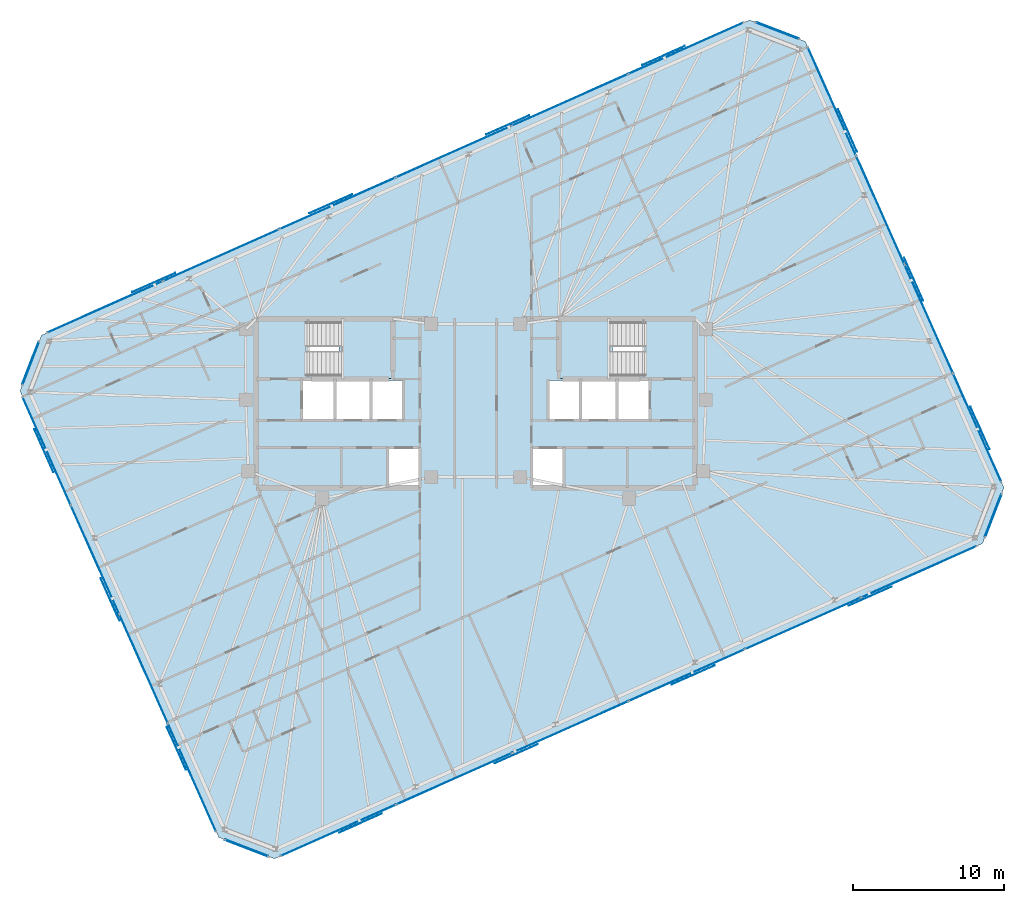
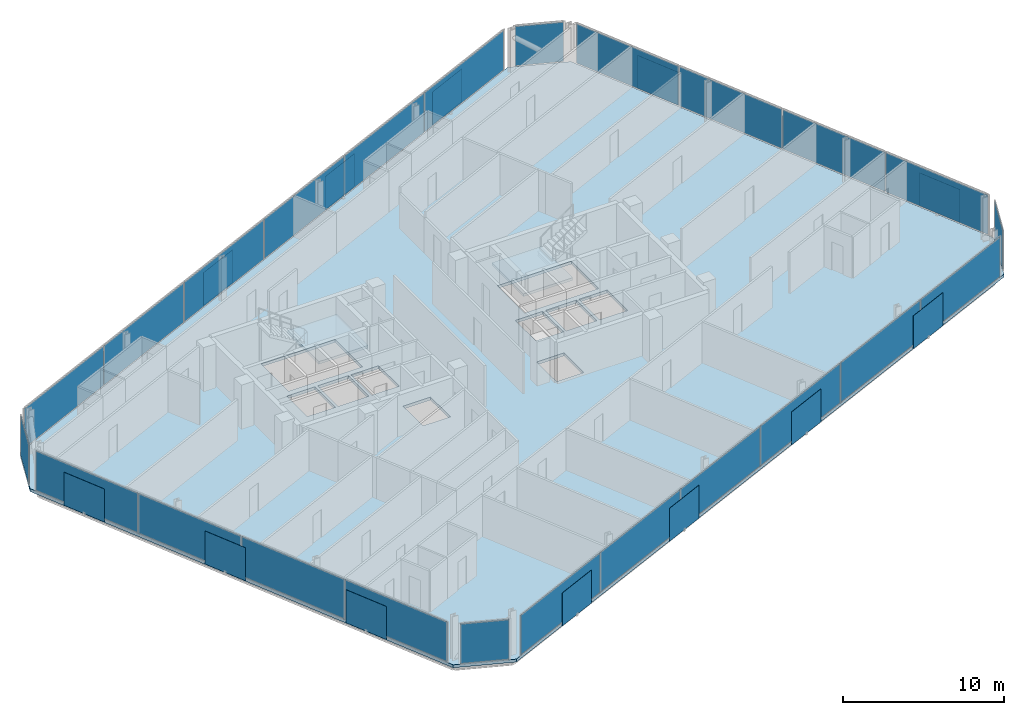
# One storey, part 12 of 19: 38 plates, 3 slabs, 10 elements without a shape of their own.
"""IFC4 building model written with IfcOpenShell, lengths in metres."""

from ifc_helpers import new_model, si_unit, direction, frame, origin, origin_2d, place, context, subcontext, project, spatial, polyline, rectangle, outline, extrude, material, layer, layer_set, type_object, element, aggregate, save


model = new_model("IFC4")

# Units and contexts
model_context = context("Model", 3, precision=1e-05, world=origin(), true_north=direction((0.0, 1.0)))
body_context = subcontext(model_context, "Body", "Model", "MODEL_VIEW")
ifc_project = project(units=[si_unit("LENGTHUNIT", "METRE"), si_unit("AREAUNIT", "SQUARE_METRE"), si_unit("VOLUMEUNIT", "CUBIC_METRE"), si_unit("PLANEANGLEUNIT", "RADIAN"), si_unit("MASSUNIT", "GRAM", prefix="KILO")], contexts=[model_context])

# Site, building, storey
site_placement = place(None, origin())
site = spatial("IfcSite", under=ifc_project, at=site_placement, CompositionType="ELEMENT")
building_placement = place(site_placement, origin())
building = spatial("IfcBuilding", under=site, at=building_placement, Name="Menara Jurai Vektor", CompositionType="ELEMENT")
storey_placement = place(building_placement, frame((0.0, 0.0, 262.199951171875)))
storey = spatial("IfcBuildingStorey", under=building, at=storey_placement, Name="L70", CompositionType="ELEMENT", Elevation=262.199951171875)

# Curtain wall, plates
ifc_material_1 = material(Name="Anodised Pale Aluminium & Low-E Double Glazing", Category="aluminium")
curtain_wall_type = type_object("IfcCurtainWallType", Name="CW-BLK5", PredefinedType="NOTDEFINED", material=ifc_material_1)
curtain_wall_1_placement = place(storey_placement, origin())
curtain_wall_1 = element("IfcCurtainWall", 1, at=curtain_wall_1_placement, inside=storey, type_object=curtain_wall_type, Name="Unitised Curtain Wall L70 F01", PredefinedType="NOTDEFINED")
ifc_material_2 = material(Name="Low-E Solar-Control Double Glazed Unit", Category="glass")
ifc_layer_1 = layer(ifc_material_2, 0.028076171875)
ifc_layer_set_1 = layer_set([ifc_layer_1], Name="Low-E Solar-Control Double Glazed Unit")
plate_type_1 = type_object("IfcPlateType", Name="CW-BLK5-PNL", PredefinedType="CURTAIN_PANEL", material=ifc_layer_set_1)
plate_1_placement = place(storey_placement, frame((-9.130615234375, -28.331787109375, 0.074951171875), z_axis=(0.0, 0.0, 1.0), x_axis=(0.913545967158, 0.406735498684, 0.0)))
plate_1 = element("IfcPlate", 2, at=plate_1_placement, type_object=plate_type_1, Name="CW-05 panel 1.1", PredefinedType="CURTAIN_PANEL", context=body_context, shape_type="SweptSolid", body=[
    extrude(rectangle(XDim=8.327392578125, YDim=0.028076171875, at=origin_2d()), origin(), (0.0, 0.0, 1.0), 2.97509765625),
])
plate_2_placement = place(storey_placement, frame((-1.4375, -24.90673828125, 0.074951171875), z_axis=(0.0, 0.0, 1.0), x_axis=(0.913545967158, 0.406735498684, 0.0)))
plate_2 = element("IfcPlate", 3, at=plate_2_placement, type_object=plate_type_1, Name="CW-05 panel 2.1", PredefinedType="CURTAIN_PANEL", context=body_context, shape_type="SweptSolid", body=[
    extrude(rectangle(XDim=8.364990234375, YDim=0.028076171875, at=origin_2d()), origin(), (0.0, 0.0, 1.0), 2.97509765625),
])
plate_3_placement = place(storey_placement, frame((6.27294921875, -21.473876953125, 0.074951171875), z_axis=(0.0, 0.0, 1.0), x_axis=(0.913545967158, 0.406735498684, 0.0)))
plate_3 = element("IfcPlate", 4, at=plate_3_placement, type_object=plate_type_1, Name="CW-05 panel 3.1", PredefinedType="CURTAIN_PANEL", context=body_context, shape_type="SweptSolid", body=[
    extrude(rectangle(XDim=8.364990234375, YDim=0.028076171875, at=origin_2d()), origin(), (0.0, 0.0, 1.0), 2.97509765625),
])
plate_4_placement = place(storey_placement, frame((13.983154296875, -18.041015625, 0.074951171875), z_axis=(0.0, 0.0, 1.0), x_axis=(0.913545967158, 0.406735498684, 0.0)))
plate_4 = element("IfcPlate", 5, at=plate_4_placement, type_object=plate_type_1, Name="CW-05 panel 4.1", PredefinedType="CURTAIN_PANEL", context=body_context, shape_type="SweptSolid", body=[
    extrude(rectangle(XDim=8.364990234375, YDim=0.028076171875, at=origin_2d()), origin(), (0.0, 0.0, 1.0), 2.97509765625),
])
plate_5_placement = place(storey_placement, frame((21.693603515625, -14.608154296875, 0.074951171875), z_axis=(0.0, 0.0, 1.0), x_axis=(0.913545967158, 0.406735498684, 0.0)))
plate_5 = element("IfcPlate", 6, at=plate_5_placement, type_object=plate_type_1, Name="CW-05 panel 5.1", PredefinedType="CURTAIN_PANEL", context=body_context, shape_type="SweptSolid", body=[
    extrude(rectangle(XDim=8.364990234375, YDim=0.028076171875, at=origin_2d()), origin(), (0.0, 0.0, 1.0), 2.97509765625),
])
plate_6_placement = place(storey_placement, frame((29.38671875, -11.182861328125, 0.074951171875), z_axis=(0.0, 0.0, 1.0), x_axis=(0.913545967158, 0.406735498684, 0.0)))
plate_6 = element("IfcPlate", 7, at=plate_6_placement, type_object=plate_type_1, Name="CW-05 panel 6.1", PredefinedType="CURTAIN_PANEL", context=body_context, shape_type="SweptSolid", body=[
    extrude(rectangle(XDim=8.327392578125, YDim=0.028076171875, at=origin_2d()), origin(), (0.0, 0.0, 1.0), 2.97509765625),
])
aggregate(curtain_wall_1, [plate_1, plate_2, plate_3, plate_4, plate_5, plate_6])

curtain_wall_2_placement = place(storey_placement, origin())
curtain_wall_2 = element("IfcCurtainWall", 8, at=curtain_wall_2_placement, inside=storey, type_object=curtain_wall_type, Name="Unitised Curtain Wall L70 F03", PredefinedType="NOTDEFINED")
plate_7_placement = place(storey_placement, frame((33.25439453125, -1.630126953125, 0.074951171875), z_axis=(0.0, 0.0, 1.0), x_axis=(-0.406735138086, 0.913546127706, 0.0)))
plate_7 = element("IfcPlate", 9, at=plate_7_placement, type_object=plate_type_1, Name="CW-05 panel 1.1", PredefinedType="CURTAIN_PANEL", context=body_context, shape_type="SweptSolid", body=[
    extrude(rectangle(XDim=7.797607421875, YDim=0.028076171875, at=origin_2d()), origin(), (0.0, 0.0, 1.0), 2.97509765625),
])
plate_8_placement = place(storey_placement, frame((30.044677734375, 5.578857421875, 0.074951171875), z_axis=(0.0, 0.0, 1.0), x_axis=(-0.406735138086, 0.913546127706, 0.0)))
plate_8 = element("IfcPlate", 10, at=plate_8_placement, type_object=plate_type_1, Name="CW-05 panel 2.1", PredefinedType="CURTAIN_PANEL", context=body_context, shape_type="SweptSolid", body=[
    extrude(rectangle(XDim=7.8349609375, YDim=0.028076171875, at=origin_2d()), origin(), (0.0, 0.0, 1.0), 2.97509765625),
])
plate_9_placement = place(storey_placement, frame((26.827392578125, 12.80517578125, 0.074951171875), z_axis=(0.0, 0.0, 1.0), x_axis=(-0.406735138086, 0.913546127706, 0.0)))
plate_9 = element("IfcPlate", 11, at=plate_9_placement, type_object=plate_type_1, Name="CW-05 panel 3.1", PredefinedType="CURTAIN_PANEL", context=body_context, shape_type="SweptSolid", body=[
    extrude(rectangle(XDim=7.8349609375, YDim=0.028076171875, at=origin_2d()), origin(), (0.0, 0.0, 1.0), 2.97509765625),
])
plate_10_placement = place(storey_placement, frame((23.61767578125, 20.01416015625, 0.074951171875), z_axis=(0.0, 0.0, 1.0), x_axis=(-0.406735138086, 0.913546127706, 0.0)))
plate_10 = element("IfcPlate", 12, at=plate_10_placement, type_object=plate_type_1, Name="CW-05 panel 4.1", PredefinedType="CURTAIN_PANEL", context=body_context, shape_type="SweptSolid", body=[
    extrude(rectangle(XDim=7.797607421875, YDim=0.028076171875, at=origin_2d()), origin(), (0.0, 0.0, 1.0), 2.97509765625),
])
aggregate(curtain_wall_2, [plate_7, plate_8, plate_9, plate_10])

curtain_wall_3_placement = place(storey_placement, origin())
curtain_wall_3 = element("IfcCurtainWall", 13, at=curtain_wall_3_placement, inside=storey, type_object=curtain_wall_type, Name="Unitised Curtain Wall L70 F05", PredefinedType="NOTDEFINED")
plate_11_placement = place(storey_placement, frame((13.9306640625, 23.53173828125, 0.074951171875), z_axis=(0.0, 0.0, 1.0), x_axis=(-0.913545967158, -0.406735498684, 0.0)))
plate_11 = element("IfcPlate", 14, at=plate_11_placement, type_object=plate_type_1, Name="CW-05 panel 1.1", PredefinedType="CURTAIN_PANEL", context=body_context, shape_type="SweptSolid", body=[
    extrude(rectangle(XDim=8.327392578125, YDim=0.028076171875, at=origin_2d()), origin(), (0.0, 0.0, 1.0), 2.97509765625),
])
plate_12_placement = place(storey_placement, frame((6.237548828125, 20.106689453125, 0.074951171875), z_axis=(0.0, 0.0, 1.0), x_axis=(-0.913545967158, -0.406735498684, 0.0)))
plate_12 = element("IfcPlate", 15, at=plate_12_placement, type_object=plate_type_1, Name="CW-05 panel 2.1", PredefinedType="CURTAIN_PANEL", context=body_context, shape_type="SweptSolid", body=[
    extrude(rectangle(XDim=8.364990234375, YDim=0.028076171875, at=origin_2d()), origin(), (0.0, 0.0, 1.0), 2.97509765625),
])
plate_13_placement = place(storey_placement, frame((-1.472900390625, 16.673828125, 0.074951171875), z_axis=(0.0, 0.0, 1.0), x_axis=(-0.913545967158, -0.406735498684, 0.0)))
plate_13 = element("IfcPlate", 16, at=plate_13_placement, type_object=plate_type_1, Name="CW-05 panel 3.1", PredefinedType="CURTAIN_PANEL", context=body_context, shape_type="SweptSolid", body=[
    extrude(rectangle(XDim=8.364990234375, YDim=0.028076171875, at=origin_2d()), origin(), (0.0, 0.0, 1.0), 2.97509765625),
])
plate_14_placement = place(storey_placement, frame((-9.18310546875, 13.240966796875, 0.074951171875), z_axis=(0.0, 0.0, 1.0), x_axis=(-0.913545967158, -0.406735498684, 0.0)))
plate_14 = element("IfcPlate", 17, at=plate_14_placement, type_object=plate_type_1, Name="CW-05 panel 4.1", PredefinedType="CURTAIN_PANEL", context=body_context, shape_type="SweptSolid", body=[
    extrude(rectangle(XDim=8.364990234375, YDim=0.028076171875, at=origin_2d()), origin(), (0.0, 0.0, 1.0), 2.97509765625),
])
plate_15_placement = place(storey_placement, frame((-16.8935546875, 9.80810546875, 0.074951171875), z_axis=(0.0, 0.0, 1.0), x_axis=(-0.913545967158, -0.406735498684, 0.0)))
plate_15 = element("IfcPlate", 18, at=plate_15_placement, type_object=plate_type_1, Name="CW-05 panel 5.1", PredefinedType="CURTAIN_PANEL", context=body_context, shape_type="SweptSolid", body=[
    extrude(rectangle(XDim=8.364990234375, YDim=0.028076171875, at=origin_2d()), origin(), (0.0, 0.0, 1.0), 2.97509765625),
])
plate_16_placement = place(storey_placement, frame((-24.586669921875, 6.3828125, 0.074951171875), z_axis=(0.0, 0.0, 1.0), x_axis=(-0.913545967158, -0.406735498684, 0.0)))
plate_16 = element("IfcPlate", 19, at=plate_16_placement, type_object=plate_type_1, Name="CW-05 panel 6.1", PredefinedType="CURTAIN_PANEL", context=body_context, shape_type="SweptSolid", body=[
    extrude(rectangle(XDim=8.327392578125, YDim=0.028076171875, at=origin_2d()), origin(), (0.0, 0.0, 1.0), 2.97509765625),
])
aggregate(curtain_wall_3, [plate_11, plate_12, plate_13, plate_14, plate_15, plate_16])

curtain_wall_4_placement = place(storey_placement, origin())
curtain_wall_4 = element("IfcCurtainWall", 20, at=curtain_wall_4_placement, inside=storey, type_object=curtain_wall_type, Name="Unitised Curtain Wall L70 F07", PredefinedType="NOTDEFINED")
plate_17_placement = place(storey_placement, frame((-28.454345703125, -3.169921875, 0.074951171875), z_axis=(0.0, 0.0, 1.0), x_axis=(0.406735138086, -0.913546127706, 0.0)))
plate_17 = element("IfcPlate", 21, at=plate_17_placement, type_object=plate_type_1, Name="CW-05 panel 1.1", PredefinedType="CURTAIN_PANEL", context=body_context, shape_type="SweptSolid", body=[
    extrude(rectangle(XDim=7.797607421875, YDim=0.028076171875, at=origin_2d()), origin(), (0.0, 0.0, 1.0), 2.97509765625),
])
plate_18_placement = place(storey_placement, frame((-25.24462890625, -10.37890625, 0.074951171875), z_axis=(0.0, 0.0, 1.0), x_axis=(0.406735138086, -0.913546127706, 0.0)))
plate_18 = element("IfcPlate", 22, at=plate_18_placement, type_object=plate_type_1, Name="CW-05 panel 2.1", PredefinedType="CURTAIN_PANEL", context=body_context, shape_type="SweptSolid", body=[
    extrude(rectangle(XDim=7.8349609375, YDim=0.028076171875, at=origin_2d()), origin(), (0.0, 0.0, 1.0), 2.97509765625),
])
plate_19_placement = place(storey_placement, frame((-22.02734375, -17.60498046875, 0.074951171875), z_axis=(0.0, 0.0, 1.0), x_axis=(0.406735138086, -0.913546127706, 0.0)))
plate_19 = element("IfcPlate", 23, at=plate_19_placement, type_object=plate_type_1, Name="CW-05 panel 3.1", PredefinedType="CURTAIN_PANEL", context=body_context, shape_type="SweptSolid", body=[
    extrude(rectangle(XDim=7.8349609375, YDim=0.028076171875, at=origin_2d()), origin(), (0.0, 0.0, 1.0), 2.97509765625),
])
plate_20_placement = place(storey_placement, frame((-18.81787109375, -24.814208984375, 0.074951171875), z_axis=(0.0, 0.0, 1.0), x_axis=(0.406735138086, -0.913546127706, 0.0)))
plate_20 = element("IfcPlate", 24, at=plate_20_placement, type_object=plate_type_1, Name="CW-05 panel 4.1", PredefinedType="CURTAIN_PANEL", context=body_context, shape_type="SweptSolid", body=[
    extrude(rectangle(XDim=7.797607421875, YDim=0.028076171875, at=origin_2d()), origin(), (0.0, 0.0, 1.0), 2.97509765625),
])
aggregate(curtain_wall_4, [plate_17, plate_18, plate_19, plate_20])

# Curtain wall, plate
curtain_wall_5_placement = place(storey_placement, origin())
curtain_wall_5 = element("IfcCurtainWall", 25, at=curtain_wall_5_placement, inside=storey, type_object=curtain_wall_type, Name="Unitised Curtain Wall L70 F02", PredefinedType="NOTDEFINED")
ifc_material_3 = material(Name="Insulated Pale Aluminium Spandrel Panel", Category="aluminium")
ifc_layer_2 = layer(ifc_material_3, 0.06005859375)
ifc_layer_set_2 = layer_set([ifc_layer_2], Name="Insulated Pale Aluminium Spandrel Panel")
plate_type_2 = type_object("IfcPlateType", Name="CW-PNL-SP", PredefinedType="CURTAIN_PANEL", material=ifc_layer_set_2)
plate_21_placement = place(storey_placement, frame((34.315673828125, -7.455810546875, 0.074951171875), z_axis=(0.0, 0.0, 1.0), x_axis=(0.358373766287, 0.933578193639, 0.0)))
plate_21 = element("IfcPlate", 26, at=plate_21_placement, type_object=plate_type_2, Name="CW-05 panel 1.1", PredefinedType="CURTAIN_PANEL", context=body_context, shape_type="SweptSolid", body=[
    extrude(rectangle(XDim=3.0498046875, YDim=0.06005859375, at=origin_2d()), origin(), (0.0, 0.0, 1.0), 2.97509765625),
])
aggregate(curtain_wall_5, [plate_21])

curtain_wall_6_placement = place(storey_placement, origin())
curtain_wall_6 = element("IfcCurtainWall", 27, at=curtain_wall_6_placement, inside=storey, type_object=curtain_wall_type, Name="Unitised Curtain Wall L70 F04", PredefinedType="NOTDEFINED")
plate_22_placement = place(storey_placement, frame((19.99853515625, 24.700927734375, 0.074951171875), z_axis=(0.0, 0.0, 1.0), x_axis=(-0.933578193639, 0.358373766287, 0.0)))
plate_22 = element("IfcPlate", 28, at=plate_22_placement, type_object=plate_type_2, Name="CW-05 panel 1.1", PredefinedType="CURTAIN_PANEL", context=body_context, shape_type="SweptSolid", body=[
    extrude(rectangle(XDim=3.0498046875, YDim=0.06005859375, at=origin_2d()), origin(), (0.0, 0.0, 1.0), 2.97509765625),
])
aggregate(curtain_wall_6, [plate_22])

curtain_wall_7_placement = place(storey_placement, origin())
curtain_wall_7 = element("IfcCurtainWall", 29, at=curtain_wall_7_placement, inside=storey, type_object=curtain_wall_type, Name="Unitised Curtain Wall L70 F06", PredefinedType="NOTDEFINED")
plate_23_placement = place(storey_placement, frame((-29.515625, 2.65576171875, 0.074951171875), z_axis=(0.0, 0.0, 1.0), x_axis=(-0.358373766287, -0.933578193639, 0.0)))
plate_23 = element("IfcPlate", 30, at=plate_23_placement, type_object=plate_type_2, Name="CW-05 panel 1.1", PredefinedType="CURTAIN_PANEL", context=body_context, shape_type="SweptSolid", body=[
    extrude(rectangle(XDim=3.0498046875, YDim=0.06005859375, at=origin_2d()), origin(), (0.0, 0.0, 1.0), 2.97509765625),
])
aggregate(curtain_wall_7, [plate_23])

curtain_wall_8_placement = place(storey_placement, origin())
curtain_wall_8 = element("IfcCurtainWall", 31, at=curtain_wall_8_placement, inside=storey, type_object=curtain_wall_type, Name="Unitised Curtain Wall L70 F08", PredefinedType="NOTDEFINED")
plate_24_placement = place(storey_placement, frame((-15.198486328125, -29.5009765625, 0.074951171875), z_axis=(0.0, 0.0, 1.0), x_axis=(0.933578193639, -0.358373766287, 0.0)))
plate_24 = element("IfcPlate", 32, at=plate_24_placement, type_object=plate_type_2, Name="CW-05 panel 1.1", PredefinedType="CURTAIN_PANEL", context=body_context, shape_type="SweptSolid", body=[
    extrude(rectangle(XDim=3.0498046875, YDim=0.06005859375, at=origin_2d()), origin(), (0.0, 0.0, 1.0), 2.97509765625),
])
aggregate(curtain_wall_8, [plate_24])

# Plates
ifc_material_4 = material(Name="Anodised Pale Aluminium Perforated Screen", Category="aluminium")
ifc_layer_3 = layer(ifc_material_4, 0.02197265625)
ifc_layer_set_3 = layer_set([ifc_layer_3], Name="Anodised Pale Aluminium Perforated Screen")
plate_type_3 = type_object("IfcPlateType", Name="ENV-PLT-SCREEN-HI", PredefinedType="USERDEFINED", material=ifc_layer_set_3)
for number, where, z_axis, x_axis, name in (
    (33, (-7.650390625, -27.847900390625, -0.050048828125), (0.0, 0.0, 1.0), (0.913545457643, 0.406736643076, 0.0), "Perforated Pale-Metal Solar Screen L70-S01"),
    (34, (2.68017578125, -23.24853515625, -0.050048828125), (0.0, 0.0, 1.0), (0.913545457643, 0.406736643076, 0.0), "Perforated Pale-Metal Solar Screen L70-S02"),
    (35, (14.419189453125, -18.02197265625, -0.050048828125), (0.0, 0.0, 1.0), (0.913545457643, 0.406736643076, 0.0), "Perforated Pale-Metal Solar Screen L70-S03"),
    (36, (26.158203125, -12.79541015625, -0.050048828125), (0.0, 0.0, 1.0), (0.913545457643, 0.406736643076, 0.0), "Perforated Pale-Metal Solar Screen L70-S04"),
    (37, (33.436279296875, -1.64501953125, -0.050048828125), (0.0, 0.0, 1.0), (-0.406736643076, 0.913545457643, 0.0), "Perforated Pale-Metal Solar Screen L70-S05"),
    (38, (29.04345703125, 8.22119140625, -0.050048828125), (0.0, 0.0, 1.0), (-0.406736643076, 0.913545457643, 0.0), "Perforated Pale-Metal Solar Screen L70-S06"),
    (39, (24.650634765625, 18.08740234375, -0.050048828125), (0.0, 0.0, 1.0), (-0.406736643076, 0.913545457643, 0.0), "Perforated Pale-Metal Solar Screen L70-S07"),
    (40, (12.4501953125, 23.0478515625, -0.050048828125), (0.0, 0.0, 1.0), (-0.913545457643, -0.406736643076, 0.0), "Perforated Pale-Metal Solar Screen L70-S08"),
    (41, (2.119873046875, 18.448486328125, -0.050048828125), (0.0, 0.0, 1.0), (-0.913545457643, -0.406736643076, 0.0), "Perforated Pale-Metal Solar Screen L70-S09"),
    (42, (-9.619140625, 13.221923828125, -0.050048828125), (0.0, 0.0, 1.0), (-0.913545457643, -0.406736643076, 0.0), "Perforated Pale-Metal Solar Screen L70-S10"),
    (43, (-21.358154296875, 7.995361328125, -0.050048828125), (0.0, 0.0, 1.0), (-0.913545457643, -0.406736643076, 0.0), "Perforated Pale-Metal Solar Screen L70-S11"),
    (44, (-28.63623046875, -3.15478515625, -0.050048828125), (0.0, 0.0, 1.0), (0.406736643076, -0.913545457643, 0.0), "Perforated Pale-Metal Solar Screen L70-S12"),
    (45, (-24.243408203125, -13.02099609375, -0.050048828125), (0.0, 0.0, 1.0), (0.406736643076, -0.913545457643, 0.0), "Perforated Pale-Metal Solar Screen L70-S13"),
    (46, (-19.8505859375, -22.887451171875, -0.050048828125), (0.0, 0.0, 1.0), (0.406736643076, -0.913545457643, 0.0), "Perforated Pale-Metal Solar Screen L70-S14"),
):
    element("IfcPlate", number, at=place(storey_placement, frame(where, z_axis=z_axis, x_axis=x_axis)), inside=storey, type_object=plate_type_3, Name=name, ObjectType="SCREEN", PredefinedType="USERDEFINED", context=body_context, shape_type="SweptSolid", body=[
        extrude(rectangle(XDim=3.10009765625, YDim=0.02197265625, at=origin_2d()), origin(), (0.0, 0.0, 1.0), 2.5),
    ])

# Stair, slab
ifc_material_5 = material(Name="Concrete C40/50", Category="concrete")
stair_type = type_object("IfcStairType", Name="STAIR-DOGLEG-1500", PredefinedType="HALF_TURN_STAIR", material=ifc_material_5)
stair_1_placement = place(storey_placement, origin())
stair_1 = element("IfcStair", 47, at=stair_1_placement, inside=storey, type_object=stair_type, Name="Protected Exit Stair ST1 L70", PredefinedType="HALF_TURN_STAIR")
ifc_layer_4 = layer(ifc_material_5, 0.199951171875)
ifc_layer_set_4 = layer_set([ifc_layer_4], Name="Concrete C40/50")
slab_type_1 = type_object("IfcSlabType", Name="STAIR-LANDING-200", PredefinedType="LANDING", material=ifc_layer_set_4)
slab_1_placement = place(storey_placement, frame((0.0, 0.0, 1.47509765625)))
slab_1 = element("IfcSlab", 48, at=slab_1_placement, type_object=slab_type_1, Name="ST1 landing 1", PredefinedType="LANDING", context=body_context, shape_type="SweptSolid", body=[
    extrude(outline(polyline([(-9.080078125, 1.64990234375), (-5.550048828125, 1.64990234375), (-5.550048828125, 5.550048828125), (-9.080078125, 5.550048828125), (-9.080078125, 1.64990234375)])), origin(), (0.0, 0.0, 1.0), 0.199951171875),
])
aggregate(stair_1, [slab_1])

stair_2_placement = place(storey_placement, origin())
stair_2 = element("IfcStair", 49, at=stair_2_placement, inside=storey, type_object=stair_type, Name="Protected Exit Stair ST2 L70", PredefinedType="HALF_TURN_STAIR")
slab_2_placement = place(storey_placement, frame((0.0, 0.0, 1.47509765625)))
slab_2 = element("IfcSlab", 50, at=slab_2_placement, type_object=slab_type_1, Name="ST2 landing 1", PredefinedType="LANDING", context=body_context, shape_type="SweptSolid", body=[
    extrude(outline(polyline([(5.550048828125, 1.64990234375), (9.080078125, 1.64990234375), (9.080078125, 5.550048828125), (5.550048828125, 5.550048828125), (5.550048828125, 1.64990234375)])), origin(), (0.0, 0.0, 1.0), 0.199951171875),
])
aggregate(stair_2, [slab_2])

# Slab
ifc_layer_5 = layer(ifc_material_5, 0.22509765625)
ifc_layer_set_5 = layer_set([ifc_layer_5], Name="Concrete C40/50")
slab_type_2 = type_object("IfcSlabType", Name="STR-SLAB-TYP200", PredefinedType="FLOOR", material=ifc_layer_set_5)
slab_3_placement = place(storey_placement, frame((0.0, 0.0, -0.224853515625)))
element("IfcSlab", 51, at=slab_3_placement, inside=storey, type_object=slab_type_2, Name="Composite Floor Slab L70", PredefinedType="FLOOR", context=body_context, shape_type="SweptSolid", body=[
    extrude(outline(polyline([(-13.35009765625, -30.21044921875), (33.606201171875, -9.30419921875), (35.025146484375, -5.607421875), (21.846923828125, 23.991455078125), (18.150146484375, 25.410400390625), (-28.80615234375, 4.504150390625), (-30.22509765625, 0.807373046875), (-17.046875, -28.79150390625), (-13.35009765625, -30.21044921875)]), holes=[polyline([(-11.10009765625, 1.89990234375), (-11.10009765625, 5.300048828125), (-5.800048828125, 5.300048828125), (-5.800048828125, 1.89990234375), (-11.10009765625, 1.89990234375)]), polyline([(5.800048828125, 1.89990234375), (5.800048828125, 5.300048828125), (11.10009765625, 5.300048828125), (11.10009765625, 1.89990234375), (5.800048828125, 1.89990234375)]), polyline([(-11.449951171875, -1.050048828125), (-11.449951171875, 1.5), (-9.449951171875, 1.5), (-9.449951171875, -1.050048828125), (-11.449951171875, -1.050048828125)]), polyline([(9.449951171875, -1.050048828125), (9.449951171875, 1.5), (11.449951171875, 1.5), (11.449951171875, -1.050048828125), (9.449951171875, -1.050048828125)]), polyline([(-5.760009765625, -5.5), (-5.760009765625, -3.050048828125), (-3.800048828125, -3.050048828125), (-3.800048828125, -5.5), (-5.760009765625, -5.5)]), polyline([(-6.85009765625, -1.050048828125), (-6.85009765625, 1.5), (-4.889892578125, 1.5), (-4.889892578125, -1.050048828125), (-6.85009765625, -1.050048828125)]), polyline([(3.800048828125, -5.5), (3.800048828125, -3.050048828125), (5.760009765625, -3.050048828125), (5.760009765625, -5.5), (3.800048828125, -5.5)]), polyline([(4.889892578125, -1.050048828125), (4.889892578125, 1.5), (6.85009765625, 1.5), (6.85009765625, -1.050048828125), (4.889892578125, -1.050048828125)]), polyline([(-9.25, -1.050048828125), (-9.25, 1.5), (-7.050048828125, 1.5), (-7.050048828125, -1.050048828125), (-9.25, -1.050048828125)]), polyline([(7.050048828125, -1.050048828125), (7.050048828125, 1.5), (9.25, 1.5), (9.25, -1.050048828125), (7.050048828125, -1.050048828125)])]), origin(), (0.0, 0.0, 1.0), 0.224853515625),
])

save(model, "model.ifc")
